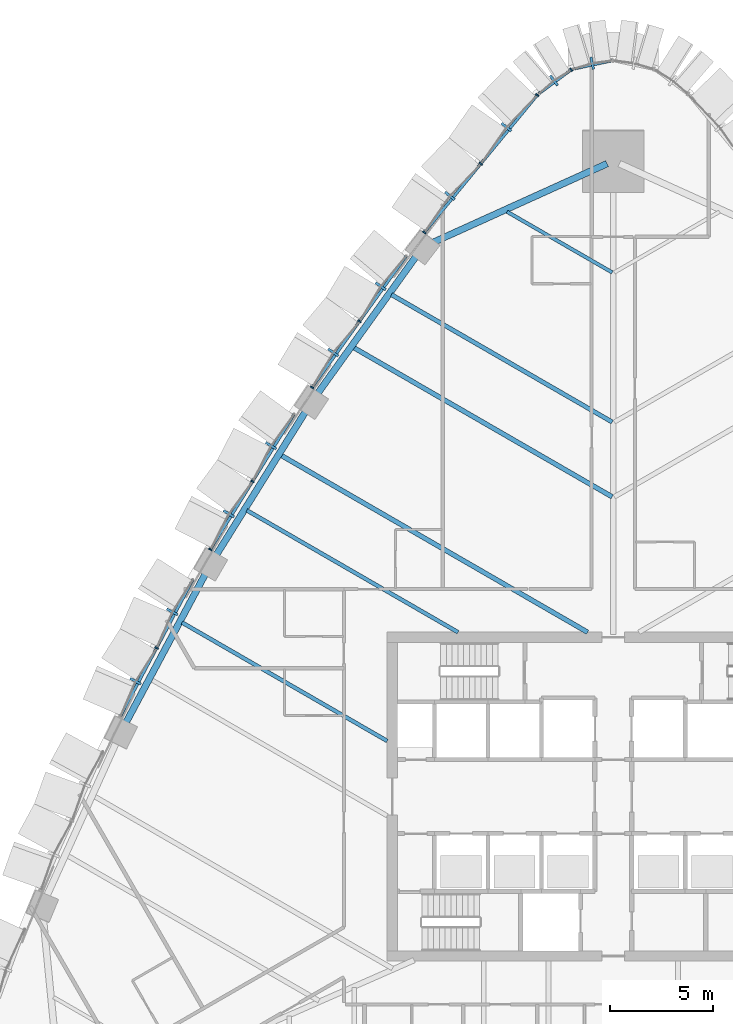
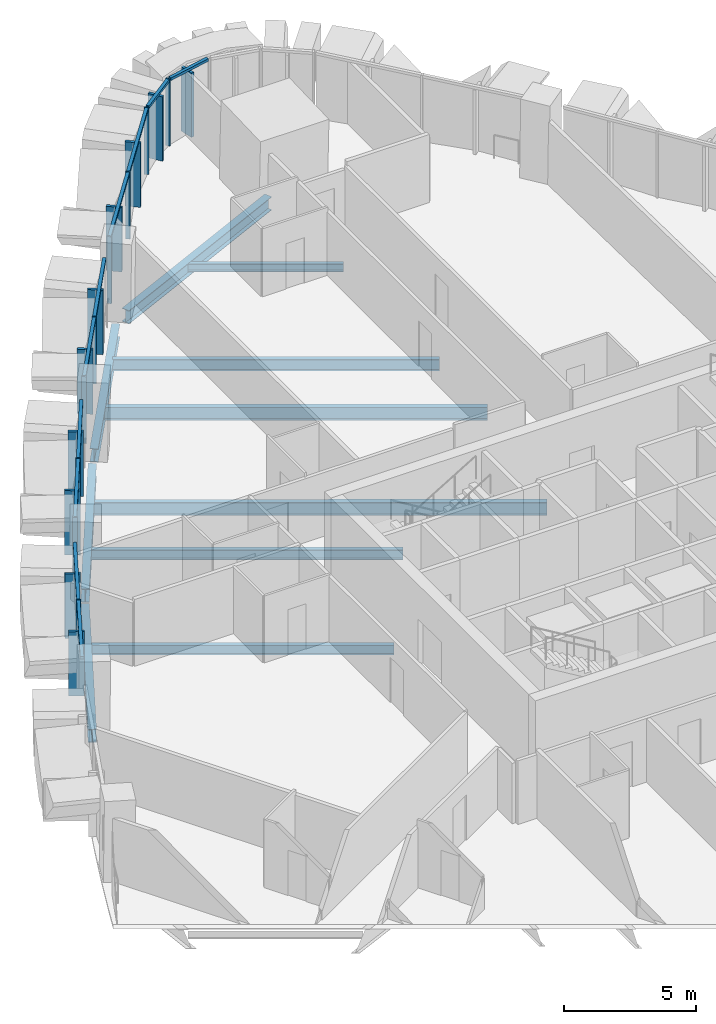
# One storey, part 6 of 22: 29 members, 10 beams, 6 elements without a shape of their own.
"""IFC4 building model written with IfcOpenShell, lengths in metres."""

from ifc_helpers import new_model, si_unit, direction, frame, origin, origin_2d, place, context, subcontext, project, spatial, rectangle, i_section, extrude, material, layer, layer_set, material_profile, profile_set, type_object, element, aggregate, save


model = new_model("IFC4")

# Units and contexts
model_context = context("Model", 3, precision=1e-05, world=origin(), true_north=direction((0.0, 1.0)))
body_context = subcontext(model_context, "Body", "Model", "MODEL_VIEW")
ifc_project = project(units=[si_unit("LENGTHUNIT", "METRE"), si_unit("AREAUNIT", "SQUARE_METRE"), si_unit("VOLUMEUNIT", "CUBIC_METRE"), si_unit("PLANEANGLEUNIT", "RADIAN"), si_unit("MASSUNIT", "GRAM", prefix="KILO")], contexts=[model_context])

# Site, building, storey
site_placement = place(None, origin())
site = spatial("IfcSite", under=ifc_project, at=site_placement, CompositionType="ELEMENT")
building_placement = place(site_placement, origin())
building = spatial("IfcBuilding", under=site, at=building_placement, Name="Sierra Prisma Convention Tower", CompositionType="ELEMENT")
storey_placement = place(building_placement, frame((0.0, 0.0, 62.800048828125)))
storey = spatial("IfcBuildingStorey", under=building, at=storey_placement, Name="L11", CompositionType="ELEMENT", Elevation=62.800048828125)

# Curtain wall, member
ifc_material_1 = material(Name="Aluminium and glass curtain wall", Category="aluminium")
ifc_layer = layer(ifc_material_1, 0.179931640625)
ifc_layer_set = layer_set([ifc_layer], Name="CW-2 Faceted crystal curtain wall")
curtain_wall_type = type_object("IfcCurtainWallType", Name="CW-2 Faceted crystal curtain wall", PredefinedType="NOTDEFINED", material=ifc_layer_set)
curtain_wall_1_placement = place(storey_placement, origin())
curtain_wall_1 = element("IfcCurtainWall", 1, at=curtain_wall_1_placement, inside=storey, type_object=curtain_wall_type, Name="CW-2 N3 L11", PredefinedType="NOTDEFINED")
ifc_material_2 = material(Name="Aluminium 6063-T6 bronze anodised", Category="aluminium")
ifc_material_profile_1 = material_profile(ifc_material_2, rectangle(XDim=0.1201171875, YDim=0.60009765625, at=origin_2d()), Name="ALU RIDGE BLADE 120x600")
ifc_profile_set_1 = profile_set([ifc_material_profile_1], Name="Aluminium 6063-T6 bronze anodised")
member_type_1 = type_object("IfcMemberType", Name="CW hip bronze", PredefinedType="MULLION", material=ifc_profile_set_1)
member_1_placement = place(storey_placement, frame((-1.023681640625, 35.682861328125, 0.0), z_axis=(0.0, 0.0, 1.0), x_axis=(-0.977553516969, -0.210687259845, 0.0)))
member_1 = element("IfcMember", 2, at=member_1_placement, type_object=member_type_1, Name="CW-2 ridge N3.1", PredefinedType="MULLION", context=body_context, shape_type="SweptSolid", body=[
    extrude(rectangle(XDim=0.1201171875, YDim=0.60009765625, at=origin_2d()), origin(), (0.0, 0.0, 1.0), 2.97998046875),
])

curtain_wall_2_placement = place(storey_placement, origin())
curtain_wall_2 = element("IfcCurtainWall", 3, at=curtain_wall_2_placement, inside=storey, type_object=curtain_wall_type, Name="CW-2 N4 L11", PredefinedType="NOTDEFINED")
member_2_placement = place(storey_placement, frame((-2.88916015625, 34.839599609375, 0.0), z_axis=(0.0, 0.0, 1.0), x_axis=(-0.803982549782, -0.594652890051, 0.0)))
member_2 = element("IfcMember", 4, at=member_2_placement, type_object=member_type_1, Name="CW-2 ridge N4.1", PredefinedType="MULLION", context=body_context, shape_type="SweptSolid", body=[
    extrude(rectangle(XDim=0.1201171875, YDim=0.60009765625, at=origin_2d()), origin(), (0.0, 0.0, 1.0), 2.97998046875),
])

# Curtain wall, members
curtain_wall_3_placement = place(storey_placement, origin())
curtain_wall_3 = element("IfcCurtainWall", 5, at=curtain_wall_3_placement, inside=storey, type_object=curtain_wall_type, Name="CW-2 NW1 L11", PredefinedType="NOTDEFINED")
member_3_placement = place(storey_placement, frame((-5.19970703125, 32.572998046875, 0.0), z_axis=(0.0, 0.0, 1.0), x_axis=(-0.635147567987, -0.772390812271, 0.0)))
member_3 = element("IfcMember", 6, at=member_3_placement, type_object=member_type_1, Name="CW-2 ridge NW1.1", PredefinedType="MULLION", context=body_context, shape_type="SweptSolid", body=[
    extrude(rectangle(XDim=0.1201171875, YDim=0.60009765625, at=origin_2d()), origin(), (0.0, 0.0, 1.0), 2.97998046875),
])
member_4_placement = place(storey_placement, frame((-7.94970703125, 29.228759765625, 0.0), z_axis=(0.0, 0.0, 1.0), x_axis=(-0.635147567987, -0.772390812271, 0.0)))
member_4 = element("IfcMember", 7, at=member_4_placement, type_object=member_type_1, Name="CW-2 ridge NW1.2", PredefinedType="MULLION", context=body_context, shape_type="SweptSolid", body=[
    extrude(rectangle(XDim=0.1201171875, YDim=0.60009765625, at=origin_2d()), origin(), (0.0, 0.0, 1.0), 2.97998046875),
])

curtain_wall_4_placement = place(storey_placement, origin())
curtain_wall_4 = element("IfcCurtainWall", 8, at=curtain_wall_4_placement, inside=storey, type_object=curtain_wall_type, Name="CW-2 NW2 L11", PredefinedType="NOTDEFINED")
member_5_placement = place(storey_placement, frame((-11.31787109375, 24.833984375, 0.0), z_axis=(0.0, 0.0, 1.0), x_axis=(-0.582035465677, -0.813163400981, 0.0)))
member_5 = element("IfcMember", 9, at=member_5_placement, type_object=member_type_1, Name="CW-2 ridge NW2.1", PredefinedType="MULLION", context=body_context, shape_type="SweptSolid", body=[
    extrude(rectangle(XDim=0.1201171875, YDim=0.60009765625, at=origin_2d()), origin(), (0.0, 0.0, 1.0), 2.97998046875),
])
member_6_placement = place(storey_placement, frame((-13.62451171875, 21.611083984375, 0.0), z_axis=(0.0, 0.0, 1.0), x_axis=(-0.582035465677, -0.813163400981, 0.0)))
member_6 = element("IfcMember", 10, at=member_6_placement, type_object=member_type_1, Name="CW-2 ridge NW2.2", PredefinedType="MULLION", context=body_context, shape_type="SweptSolid", body=[
    extrude(rectangle(XDim=0.1201171875, YDim=0.60009765625, at=origin_2d()), origin(), (0.0, 0.0, 1.0), 2.97998046875),
])

curtain_wall_5_placement = place(storey_placement, origin())
curtain_wall_5 = element("IfcCurtainWall", 11, at=curtain_wall_5_placement, inside=storey, type_object=curtain_wall_type, Name="CW-2 NW3 L11", PredefinedType="NOTDEFINED")
member_7_placement = place(storey_placement, frame((-16.65380859375, 17.076904296875, 0.0), z_axis=(0.0, 0.0, 1.0), x_axis=(-0.526313924096, -0.850290334711, 0.0)))
member_7 = element("IfcMember", 12, at=member_7_placement, type_object=member_type_1, Name="CW-2 ridge NW3.1", PredefinedType="MULLION", context=body_context, shape_type="SweptSolid", body=[
    extrude(rectangle(XDim=0.1201171875, YDim=0.60009765625, at=origin_2d()), origin(), (0.0, 0.0, 1.0), 2.97998046875),
])
member_8_placement = place(storey_placement, frame((-18.704833984375, 13.763427734375, 0.0), z_axis=(0.0, 0.0, 1.0), x_axis=(-0.526313924096, -0.850290334711, 0.0)))
member_8 = element("IfcMember", 13, at=member_8_placement, type_object=member_type_1, Name="CW-2 ridge NW3.2", PredefinedType="MULLION", context=body_context, shape_type="SweptSolid", body=[
    extrude(rectangle(XDim=0.1201171875, YDim=0.60009765625, at=origin_2d()), origin(), (0.0, 0.0, 1.0), 2.97998046875),
])

curtain_wall_6_placement = place(storey_placement, origin())
curtain_wall_6 = element("IfcCurtainWall", 14, at=curtain_wall_6_placement, inside=storey, type_object=curtain_wall_type, Name="CW-2 NW4 L11", PredefinedType="NOTDEFINED")
member_9_placement = place(storey_placement, frame((-21.456298828125, 8.98828125, 0.0), z_axis=(0.0, 0.0, 1.0), x_axis=(-0.468232759613, -0.88360516229, 0.0)))
member_9 = element("IfcMember", 15, at=member_9_placement, type_object=member_type_1, Name="CW-2 ridge NW4.1", PredefinedType="MULLION", context=body_context, shape_type="SweptSolid", body=[
    extrude(rectangle(XDim=0.1201171875, YDim=0.60009765625, at=origin_2d()), origin(), (0.0, 0.0, 1.0), 2.97998046875),
])
member_10_placement = place(storey_placement, frame((-23.2421875, 5.6181640625, 0.0), z_axis=(0.0, 0.0, 1.0), x_axis=(-0.468232759613, -0.88360516229, 0.0)))
member_10 = element("IfcMember", 16, at=member_10_placement, type_object=member_type_1, Name="CW-2 ridge NW4.2", PredefinedType="MULLION", context=body_context, shape_type="SweptSolid", body=[
    extrude(rectangle(XDim=0.1201171875, YDim=0.60009765625, at=origin_2d()), origin(), (0.0, 0.0, 1.0), 2.97998046875),
])

# Member
ifc_material_3 = material(Name="Aluminium 6063-T6 bronze anodised", Category="aluminium")
ifc_material_profile_2 = material_profile(ifc_material_3, rectangle(XDim=0.179931640625, YDim=0.070068359375, at=origin_2d()), Name="ALU MULLION 70x180")
ifc_profile_set_2 = profile_set([ifc_material_profile_2], Name="Aluminium 6063-T6 bronze anodised")
member_type_2 = type_object("IfcMemberType", Name="CW mullion bronze", PredefinedType="MULLION", material=ifc_profile_set_2)
member_11_placement = place(storey_placement, frame((-2.043701171875, 35.370849609375, 0.0), z_axis=(0.0, 0.0, 1.0), x_axis=(0.594652890051, -0.803982549782, 0.0)))
member_11 = element("IfcMember", 17, at=member_11_placement, type_object=member_type_2, Name="CW-1 mullion N4.1", PredefinedType="MULLION", context=body_context, shape_type="SweptSolid", body=[
    extrude(rectangle(XDim=0.179931640625, YDim=0.070068359375, at=origin_2d()), origin(), (0.0, 0.0, 1.0), 3.099853515625),
])

member_12_placement = place(storey_placement, frame((-3.6953125, 34.138671875, 0.0), z_axis=(0.0, 0.0, 1.0), x_axis=(0.772390812271, -0.635147567987, 0.0)))
member_12 = element("IfcMember", 18, at=member_12_placement, type_object=member_type_2, Name="CW-1 mullion NW1.1", PredefinedType="MULLION", context=body_context, shape_type="SweptSolid", body=[
    extrude(rectangle(XDim=0.179931640625, YDim=0.070068359375, at=origin_2d()), origin(), (0.0, 0.0, 1.0), 3.099853515625),
])

member_13_placement = place(storey_placement, frame((-6.4453125, 30.79443359375, 0.0), z_axis=(0.0, 0.0, 1.0), x_axis=(0.772390812271, -0.635147567987, 0.0)))
member_13 = element("IfcMember", 19, at=member_13_placement, type_object=member_type_2, Name="CW-1 mullion NW1.2", PredefinedType="MULLION", context=body_context, shape_type="SweptSolid", body=[
    extrude(rectangle(XDim=0.179931640625, YDim=0.070068359375, at=origin_2d()), origin(), (0.0, 0.0, 1.0), 3.099853515625),
])

member_14_placement = place(storey_placement, frame((-9.195068359375, 27.450439453125, 0.0), z_axis=(0.0, 0.0, 1.0), x_axis=(0.772390812271, -0.635147567987, 0.0)))
member_14 = element("IfcMember", 20, at=member_14_placement, type_object=member_type_2, Name="CW-1 mullion NW1.3", PredefinedType="MULLION", context=body_context, shape_type="SweptSolid", body=[
    extrude(rectangle(XDim=0.179931640625, YDim=0.070068359375, at=origin_2d()), origin(), (0.0, 0.0, 1.0), 3.099853515625),
])

member_15_placement = place(storey_placement, frame((-12.3466796875, 23.13330078125, 0.0), z_axis=(0.0, 0.0, 1.0), x_axis=(0.813163400981, -0.582035465677, 0.0)))
member_15 = element("IfcMember", 21, at=member_15_placement, type_object=member_type_2, Name="CW-1 mullion NW2.2", PredefinedType="MULLION", context=body_context, shape_type="SweptSolid", body=[
    extrude(rectangle(XDim=0.179931640625, YDim=0.070068359375, at=origin_2d()), origin(), (0.0, 0.0, 1.0), 3.099853515625),
])

member_16_placement = place(storey_placement, frame((-14.6533203125, 19.91064453125, 0.0), z_axis=(0.0, 0.0, 1.0), x_axis=(0.813163400981, -0.582035465677, 0.0)))
member_16 = element("IfcMember", 22, at=member_16_placement, type_object=member_type_2, Name="CW-1 mullion NW2.3", PredefinedType="MULLION", context=body_context, shape_type="SweptSolid", body=[
    extrude(rectangle(XDim=0.179931640625, YDim=0.070068359375, at=origin_2d()), origin(), (0.0, 0.0, 1.0), 3.099853515625),
])

member_17_placement = place(storey_placement, frame((-17.55126953125, 15.341064453125, 0.0), z_axis=(0.0, 0.0, 1.0), x_axis=(0.850290334711, -0.526313924096, 0.0)))
member_17 = element("IfcMember", 23, at=member_17_placement, type_object=member_type_2, Name="CW-1 mullion NW3.2", PredefinedType="MULLION", context=body_context, shape_type="SweptSolid", body=[
    extrude(rectangle(XDim=0.179931640625, YDim=0.070068359375, at=origin_2d()), origin(), (0.0, 0.0, 1.0), 3.099853515625),
])

member_18_placement = place(storey_placement, frame((-19.602294921875, 12.027587890625, 0.0), z_axis=(0.0, 0.0, 1.0), x_axis=(0.850290334711, -0.526313924096, 0.0)))
member_18 = element("IfcMember", 24, at=member_18_placement, type_object=member_type_2, Name="CW-1 mullion NW3.3", PredefinedType="MULLION", context=body_context, shape_type="SweptSolid", body=[
    extrude(rectangle(XDim=0.179931640625, YDim=0.070068359375, at=origin_2d()), origin(), (0.0, 0.0, 1.0), 3.099853515625),
])

member_19_placement = place(storey_placement, frame((-22.218994140625, 7.234375, 0.0), z_axis=(0.0, 0.0, 1.0), x_axis=(0.88360516229, -0.468232759613, 0.0)))
member_19 = element("IfcMember", 25, at=member_19_placement, type_object=member_type_2, Name="CW-1 mullion NW4.2", PredefinedType="MULLION", context=body_context, shape_type="SweptSolid", body=[
    extrude(rectangle(XDim=0.179931640625, YDim=0.070068359375, at=origin_2d()), origin(), (0.0, 0.0, 1.0), 3.099853515625),
])

ifc_material_4 = material(Name="Aluminium 6063-T6 bronze anodised", Category="aluminium")
ifc_material_profile_3 = material_profile(ifc_material_4, rectangle(XDim=0.139892578125, YDim=0.1201171875, at=origin_2d()), Name="ALU TRANSOM 120x140")
ifc_profile_set_3 = profile_set([ifc_material_profile_3], Name="Aluminium 6063-T6 bronze anodised")
member_type_3 = type_object("IfcMemberType", Name="CW transom bronze", PredefinedType="USERDEFINED", material=ifc_profile_set_3)
member_20_placement = place(storey_placement, frame((-0.068359375, 35.811279296875, 3.0400390625), z_axis=(-0.977565686511, -0.210630787295, 0.0), x_axis=(0.210630787295, -0.977565686511, 0.0)))
member_20 = element("IfcMember", 26, at=member_20_placement, type_object=member_type_3, Name="CW-1 transom N3.1", ObjectType="TRANSOM", PredefinedType="USERDEFINED", context=body_context, shape_type="SweptSolid", body=[
    extrude(rectangle(XDim=0.139892578125, YDim=0.1201171875, at=origin_2d()), origin(), (0.0, 0.0, 1.0), 1.921875),
])

aggregate(curtain_wall_1, [member_20, member_1])

member_21_placement = place(storey_placement, frame((-2.07177734375, 35.35009765625, 3.0400390625), z_axis=(-0.803946373753, -0.594701797651, 0.0), x_axis=(0.594701797651, -0.803946373753, 0.0)))
member_21 = element("IfcMember", 27, at=member_21_placement, type_object=member_type_3, Name="CW-1 transom N4.1", ObjectType="TRANSOM", PredefinedType="USERDEFINED", context=body_context, shape_type="SweptSolid", body=[
    extrude(rectangle(XDim=0.139892578125, YDim=0.1201171875, at=origin_2d()), origin(), (0.0, 0.0, 1.0), 1.921630859375),
])

aggregate(curtain_wall_2, [member_11, member_21, member_2])

member_22_placement = place(storey_placement, frame((-3.717529296875, 34.111572265625, 3.0400390625), z_axis=(-0.635164671618, -0.772376747403, 0.0), x_axis=(0.772376747403, -0.635164671618, 0.0)))
member_22 = element("IfcMember", 28, at=member_22_placement, type_object=member_type_3, Name="CW-1 transom NW1.1", ObjectType="TRANSOM", PredefinedType="USERDEFINED", context=body_context, shape_type="SweptSolid", body=[
    extrude(rectangle(XDim=0.139892578125, YDim=0.1201171875, at=origin_2d()), origin(), (0.0, 0.0, 1.0), 4.259521484375),
])

member_23_placement = place(storey_placement, frame((-6.467529296875, 30.767578125, 3.0400390625), z_axis=(-0.635102359925, -0.772427985263, 0.0), x_axis=(0.772427985263, -0.635102359925, 0.0)))
member_23 = element("IfcMember", 29, at=member_23_placement, type_object=member_type_3, Name="CW-1 transom NW1.2", ObjectType="TRANSOM", PredefinedType="USERDEFINED", context=body_context, shape_type="SweptSolid", body=[
    extrude(rectangle(XDim=0.139892578125, YDim=0.1201171875, at=origin_2d()), origin(), (0.0, 0.0, 1.0), 4.259765625),
])

aggregate(curtain_wall_3, [member_12, member_13, member_14, member_22, member_3, member_23, member_4])

member_24_placement = place(storey_placement, frame((-10.060302734375, 26.32763671875, 3.0400390625), z_axis=(-0.582020964898, -0.813173779963, 0.0), x_axis=(0.813173779963, -0.582020964898, 0.0)))
member_24 = element("IfcMember", 30, at=member_24_placement, type_object=member_type_3, Name="CW-1 transom NW2.1", ObjectType="TRANSOM", PredefinedType="USERDEFINED", context=body_context, shape_type="SweptSolid", body=[
    extrude(rectangle(XDim=0.139892578125, YDim=0.1201171875, at=origin_2d()), origin(), (0.0, 0.0, 1.0), 3.89306640625),
])

member_25_placement = place(storey_placement, frame((-12.366943359375, 23.10498046875, 3.0400390625), z_axis=(-0.582062430389, -0.813144099855, 0.0), x_axis=(0.813144099855, -0.582062430389, 0.0)))
member_25 = element("IfcMember", 31, at=member_25_placement, type_object=member_type_3, Name="CW-1 transom NW2.2", ObjectType="TRANSOM", PredefinedType="USERDEFINED", context=body_context, shape_type="SweptSolid", body=[
    extrude(rectangle(XDim=0.139892578125, YDim=0.1201171875, at=origin_2d()), origin(), (0.0, 0.0, 1.0), 3.893310546875),
])

aggregate(curtain_wall_4, [member_15, member_16, member_24, member_5, member_25, member_6])

member_26_placement = place(storey_placement, frame((-15.518798828125, 18.62451171875, 3.0400390625), z_axis=(-0.526323866291, -0.850284180597, 0.0), x_axis=(0.850284180597, -0.526323866291, 0.0)))
member_26 = element("IfcMember", 32, at=member_26_placement, type_object=member_type_3, Name="CW-1 transom NW3.1", ObjectType="TRANSOM", PredefinedType="USERDEFINED", context=body_context, shape_type="SweptSolid", body=[
    extrude(rectangle(XDim=0.139892578125, YDim=0.1201171875, at=origin_2d()), origin(), (0.0, 0.0, 1.0), 3.826904296875),
])

member_27_placement = place(storey_placement, frame((-17.569580078125, 15.311279296875, 3.0400390625), z_axis=(-0.526323866291, -0.850284180597, 0.0), x_axis=(0.850284180597, -0.526323866291, 0.0)))
member_27 = element("IfcMember", 33, at=member_27_placement, type_object=member_type_3, Name="CW-1 transom NW3.2", ObjectType="TRANSOM", PredefinedType="USERDEFINED", context=body_context, shape_type="SweptSolid", body=[
    extrude(rectangle(XDim=0.139892578125, YDim=0.1201171875, at=origin_2d()), origin(), (0.0, 0.0, 1.0), 3.826904296875),
])

aggregate(curtain_wall_5, [member_17, member_18, member_26, member_7, member_27, member_8])

member_28_placement = place(storey_placement, frame((-20.449462890625, 10.573486328125, 3.0400390625), z_axis=(-0.468241202919, -0.883600688031, 0.0), x_axis=(0.883600688031, -0.468241202919, 0.0)))
member_28 = element("IfcMember", 34, at=member_28_placement, type_object=member_type_3, Name="CW-1 transom NW4.1", ObjectType="TRANSOM", PredefinedType="USERDEFINED", context=body_context, shape_type="SweptSolid", body=[
    extrude(rectangle(XDim=0.139892578125, YDim=0.1201171875, at=origin_2d()), origin(), (0.0, 0.0, 1.0), 3.744140625),
])

member_29_placement = place(storey_placement, frame((-22.2353515625, 7.203369140625, 3.0400390625), z_axis=(-0.468241202919, -0.883600688031, 0.0), x_axis=(0.883600688031, -0.468241202919, 0.0)))
member_29 = element("IfcMember", 35, at=member_29_placement, type_object=member_type_3, Name="CW-1 transom NW4.2", ObjectType="TRANSOM", PredefinedType="USERDEFINED", context=body_context, shape_type="SweptSolid", body=[
    extrude(rectangle(XDim=0.139892578125, YDim=0.1201171875, at=origin_2d()), origin(), (0.0, 0.0, 1.0), 3.744140625),
])

aggregate(curtain_wall_6, [member_19, member_28, member_9, member_29, member_10])

# Beams
ifc_material_5 = material(Name="Steel ASTM A992 Gr 50", Category="steel")
ifc_material_profile_4 = material_profile(ifc_material_5, i_section(OverallWidth=0.172119140625, OverallDepth=0.35791015625, WebThickness=0.0078125, FlangeThickness=0.01318359375, at=origin_2d()), Name="W360x57")
ifc_profile_set_4 = profile_set([ifc_material_profile_4], Name="Steel ASTM A992 Gr 50")
beam_type_1 = type_object("IfcBeamType", Name="Floor joist W360x57", PredefinedType="JOIST", material=ifc_profile_set_4)
beam_1_placement = place(storey_placement, frame((-5.168701171875, 28.45849609375, -0.3291015625), z_axis=(0.866039676728, -0.499975277722, 0.0), x_axis=(0.499975277722, 0.866039676728, 0.0)))
element("IfcBeam", 36, at=beam_1_placement, inside=storey, type_object=beam_type_1, Name="Floor joist L11 NW02", PredefinedType="JOIST", context=body_context, shape_type="SweptSolid", body=[
    extrude(i_section(OverallWidth=0.172119140625, OverallDepth=0.35791015625, WebThickness=0.0078125, FlangeThickness=0.01318359375, at=origin_2d()), origin(), (0.0, 0.0, 1.0), 5.906982421875),
])
ifc_material_6 = material(Name="Steel ASTM A992 Gr 50", Category="steel")
ifc_material_profile_5 = material_profile(ifc_material_6, i_section(OverallWidth=0.18994140625, OverallDepth=0.45703125, WebThickness=0.009033203125, FlangeThickness=0.014404296875, at=origin_2d()), Name="W460x74")
ifc_profile_set_5 = profile_set([ifc_material_profile_5], Name="Steel ASTM A992 Gr 50")
beam_type_2 = type_object("IfcBeamType", Name="Floor joist W460x74", PredefinedType="JOIST", material=ifc_profile_set_5)
beam_2_placement = place(storey_placement, frame((-17.8271484375, 13.931640625, -0.378662109375), z_axis=(0.866025885238, -0.499999166098, 0.0), x_axis=(0.499999166098, 0.866025885238, 0.0)))
element("IfcBeam", 37, at=beam_2_placement, inside=storey, type_object=beam_type_2, Name="Floor joist L11 NW08", PredefinedType="JOIST", context=body_context, shape_type="SweptSolid", body=[
    extrude(i_section(OverallWidth=0.18994140625, OverallDepth=0.45703125, WebThickness=0.009033203125, FlangeThickness=0.014404296875, at=origin_2d()), origin(), (0.0, 0.0, 1.0), 11.86328125),
])
beam_3_placement = place(storey_placement, frame((-20.97900390625, 8.472900390625, -0.378662109375), z_axis=(0.866031045215, -0.499990228629, 0.0), x_axis=(0.499990228629, 0.866031045215, 0.0)))
element("IfcBeam", 38, at=beam_3_placement, inside=storey, type_object=beam_type_2, Name="Floor joist L11 NW10", PredefinedType="JOIST", context=body_context, shape_type="SweptSolid", body=[
    extrude(i_section(OverallWidth=0.18994140625, OverallDepth=0.45703125, WebThickness=0.009033203125, FlangeThickness=0.014404296875, at=origin_2d()), origin(), (0.0, 0.0, 1.0), 11.522705078125),
])
ifc_material_7 = material(Name="Steel ASTM A992 Gr 50", Category="steel")
ifc_material_profile_6 = material_profile(ifc_material_7, i_section(OverallWidth=0.208984375, OverallDepth=0.532958984375, WebThickness=0.01025390625, FlangeThickness=0.015625, at=origin_2d()), Name="W530x92")
ifc_profile_set_6 = profile_set([ifc_material_profile_6], Name="Steel ASTM A992 Gr 50")
beam_type_3 = type_object("IfcBeamType", Name="Floor joist W530x92", PredefinedType="JOIST", material=ifc_profile_set_6)
beam_4_placement = place(storey_placement, frame((-10.79052734375, 24.426025390625, -0.41650390625), z_axis=(0.866020647649, -0.500008237779, 0.0), x_axis=(0.500008237779, 0.866020647649, 0.0)))
element("IfcBeam", 39, at=beam_4_placement, inside=storey, type_object=beam_type_3, Name="Floor joist L11 NW04", PredefinedType="JOIST", context=body_context, shape_type="SweptSolid", body=[
    extrude(i_section(OverallWidth=0.208984375, OverallDepth=0.532958984375, WebThickness=0.01025390625, FlangeThickness=0.015625, at=origin_2d()), origin(), (0.0, 0.0, 1.0), 12.398681640625),
])
ifc_material_8 = material(Name="Steel ASTM A992 Gr 50", Category="steel")
ifc_material_profile_7 = material_profile(ifc_material_8, i_section(OverallWidth=0.22802734375, OverallDepth=0.60302734375, WebThickness=0.010498046875, FlangeThickness=0.014892578125, at=origin_2d()), Name="W610x101")
ifc_profile_set_7 = profile_set([ifc_material_profile_7], Name="Steel ASTM A992 Gr 50")
beam_type_4 = type_object("IfcBeamType", Name="Floor joist W610x101", PredefinedType="JOIST", material=ifc_profile_set_7)
beam_5_placement = place(storey_placement, frame((-12.637451171875, 21.85302734375, -0.45166015625), z_axis=(0.866026109287, -0.499998778031, 0.0), x_axis=(0.499998778031, 0.866026109287, 0.0)))
element("IfcBeam", 40, at=beam_5_placement, inside=storey, type_object=beam_type_4, Name="Floor joist L11 NW05", PredefinedType="JOIST", context=body_context, shape_type="SweptSolid", body=[
    extrude(i_section(OverallWidth=0.22802734375, OverallDepth=0.60302734375, WebThickness=0.010498046875, FlangeThickness=0.014892578125, at=origin_2d()), origin(), (0.0, 0.0, 1.0), 14.53125),
])
beam_6_placement = place(storey_placement, frame((-16.161376953125, 16.609130859375, -0.45166015625), z_axis=(0.86602785807, -0.499995749028, 0.0), x_axis=(0.499995749028, 0.86602785807, 0.0)))
element("IfcBeam", 41, at=beam_6_placement, inside=storey, type_object=beam_type_4, Name="Floor joist L11 NW07", PredefinedType="JOIST", context=body_context, shape_type="SweptSolid", body=[
    extrude(i_section(OverallWidth=0.22802734375, OverallDepth=0.60302734375, WebThickness=0.010498046875, FlangeThickness=0.014892578125, at=origin_2d()), origin(), (0.0, 0.0, 1.0), 17.218505859375),
])
ifc_material_9 = material(Name="Steel ASTM A992 Gr 50", Category="steel")
ifc_material_profile_8 = material_profile(ifc_material_9, i_section(OverallWidth=0.324951171875, OverallDepth=0.615966796875, WebThickness=0.013916015625, FlangeThickness=0.021484375, at=origin_2d()), Name="W610x174")
ifc_profile_set_8 = profile_set([ifc_material_profile_8], Name="Steel ASTM A992 Gr 50")
beam_type_5 = type_object("IfcBeamType", Name="Spandrel beam W610x174", PredefinedType="BEAM", material=ifc_profile_set_8)
beam_7_placement = place(storey_placement, frame((-0.300048828125, 30.79736328125, -0.4580078125), z_axis=(-0.910929954988, -0.412561046519, 0.0), x_axis=(0.412561046519, -0.910929954988, 0.0)))
element("IfcBeam", 42, at=beam_7_placement, inside=storey, type_object=beam_type_5, Name="Spandrel L11-13", PredefinedType="BEAM", context=body_context, shape_type="SweptSolid", body=[
    extrude(i_section(OverallWidth=0.324951171875, OverallDepth=0.615966796875, WebThickness=0.013916015625, FlangeThickness=0.021484375, at=origin_2d()), origin(), (0.0, 0.0, 1.0), 9.28955078125),
])
beam_8_placement = place(storey_placement, frame((-9.552490234375, 26.34375, -0.4580078125), z_axis=(-0.583178987717, -0.812343688524, 0.0), x_axis=(0.812343688524, -0.583178987717, 0.0)))
element("IfcBeam", 43, at=beam_8_placement, inside=storey, type_object=beam_type_5, Name="Spandrel L11-14", PredefinedType="BEAM", context=body_context, shape_type="SweptSolid", body=[
    extrude(i_section(OverallWidth=0.324951171875, OverallDepth=0.615966796875, WebThickness=0.013916015625, FlangeThickness=0.021484375, at=origin_2d()), origin(), (0.0, 0.0, 1.0), 8.322509765625),
])
for number, where, z_axis, x_axis, name in (
    (44, (-14.93994140625, 18.784912109375, -0.4580078125), (-0.528310345565, -0.849051340479, 0.0), (0.849051340479, -0.528310345565, 0.0), "Spandrel L11-15"),
    (45, (-19.81689453125, 10.886962890625, -0.4580078125), (-0.471163651154, -0.88204581164, 0.0), (0.88204581164, -0.471163651154, 0.0), "Spandrel L11-16"),
):
    element("IfcBeam", number, at=place(storey_placement, frame(where, z_axis=z_axis, x_axis=x_axis)), inside=storey, type_object=beam_type_5, Name=name, PredefinedType="BEAM", context=body_context, shape_type="SweptSolid", body=[
        extrude(i_section(OverallWidth=0.324951171875, OverallDepth=0.615966796875, WebThickness=0.013916015625, FlangeThickness=0.021484375, at=origin_2d()), origin(), (0.0, 0.0, 1.0), 8.32275390625),
    ])

save(model, "model.ifc")
